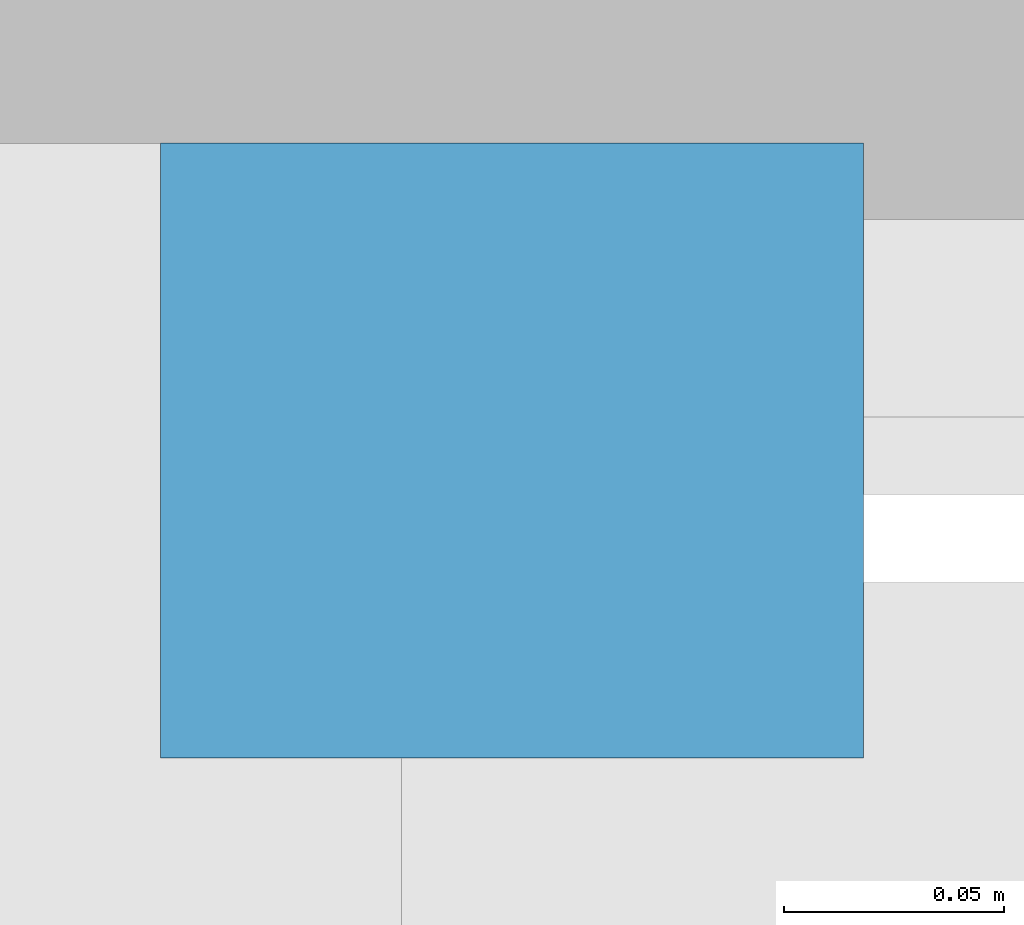
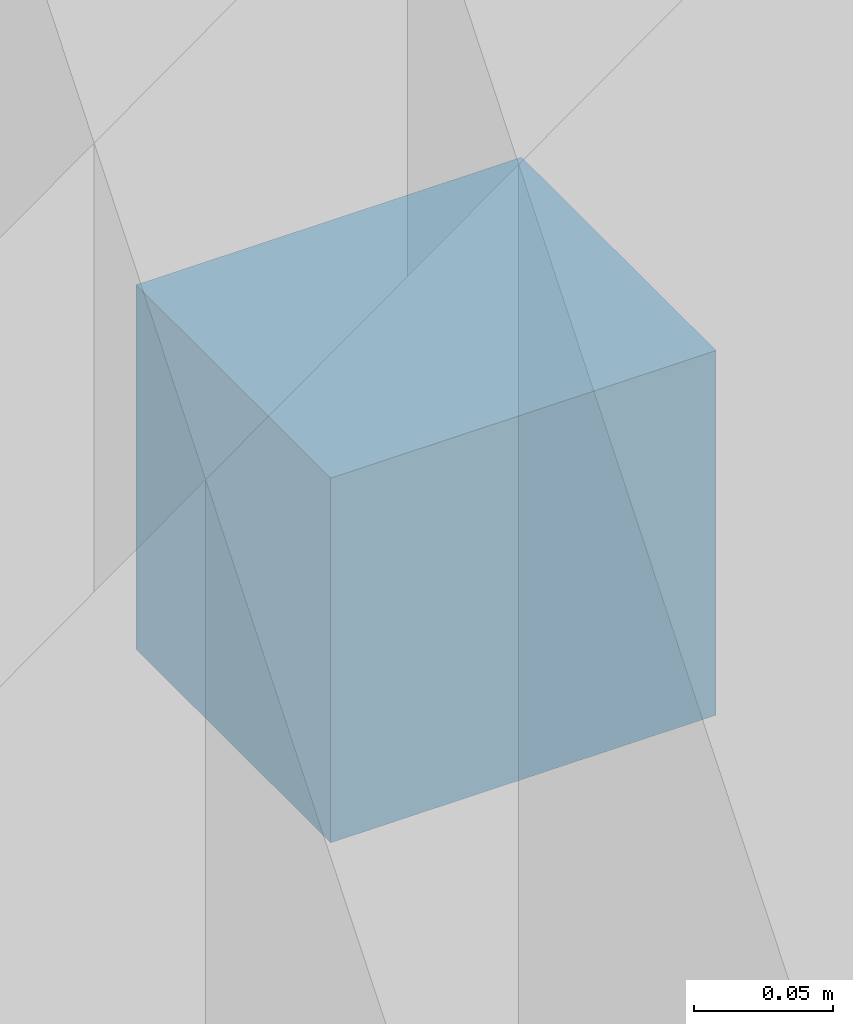
# One storey, part 11 of 17: 1 discrete accessory.
"""IFC4 building model written with IfcOpenShell, lengths in metres."""

from ifc_helpers import new_model, si_unit, direction, frame, origin, origin_2d, place, context, subcontext, project, spatial, rectangle, extrude, material, type_object, element, save


model = new_model("IFC4")

# Units and contexts
model_context = context("Model", 3, precision=1e-05, world=origin(), true_north=direction((0.0, 1.0)))
body_context = subcontext(model_context, "Body", "Model", "MODEL_VIEW")
ifc_project = project(units=[si_unit("LENGTHUNIT", "METRE"), si_unit("AREAUNIT", "SQUARE_METRE"), si_unit("VOLUMEUNIT", "CUBIC_METRE"), si_unit("PLANEANGLEUNIT", "RADIAN"), si_unit("MASSUNIT", "GRAM", prefix="KILO")], contexts=[model_context])

# Site, building, storey
site_placement = place(None, origin())
site = spatial("IfcSite", under=ifc_project, at=site_placement, CompositionType="ELEMENT")
building_placement = place(site_placement, origin())
building = spatial("IfcBuilding", under=site, at=building_placement, Name="Dalvernix Boulevard General Hospital", CompositionType="ELEMENT")
storey_placement = place(building_placement, frame((0.0, 0.0, 25.949951171875)))
storey = spatial("IfcBuildingStorey", under=building, at=storey_placement, Name="L06", CompositionType="ELEMENT", Elevation=25.949951171875)

# Discrete accessory
ifc_material = material(Name="Stainless steel 1.4404 fixing bracket", Category="steel")
discrete_accessory_type = type_object("IfcDiscreteAccessoryType", Name="ACC-BRK-01", PredefinedType="BRACKET", material=ifc_material)
discrete_accessory_placement = place(storey_placement, frame((43.5, -0.18994140625, 1.5048828125), z_axis=(0.0, 0.0, 1.0), x_axis=(-1.0, 0.0, 0.0)))
element("IfcDiscreteAccessory", 1, at=discrete_accessory_placement, inside=storey, type_object=discrete_accessory_type, Name="L06 screen support bracket 1", PredefinedType="BRACKET", context=body_context, shape_type="SweptSolid", body=[
    extrude(rectangle(XDim=0.159912109375, YDim=0.139892578125, at=origin_2d()), origin(), (0.0, 0.0, 1.0), 0.159912109375),
])

save(model, "model.ifc")
